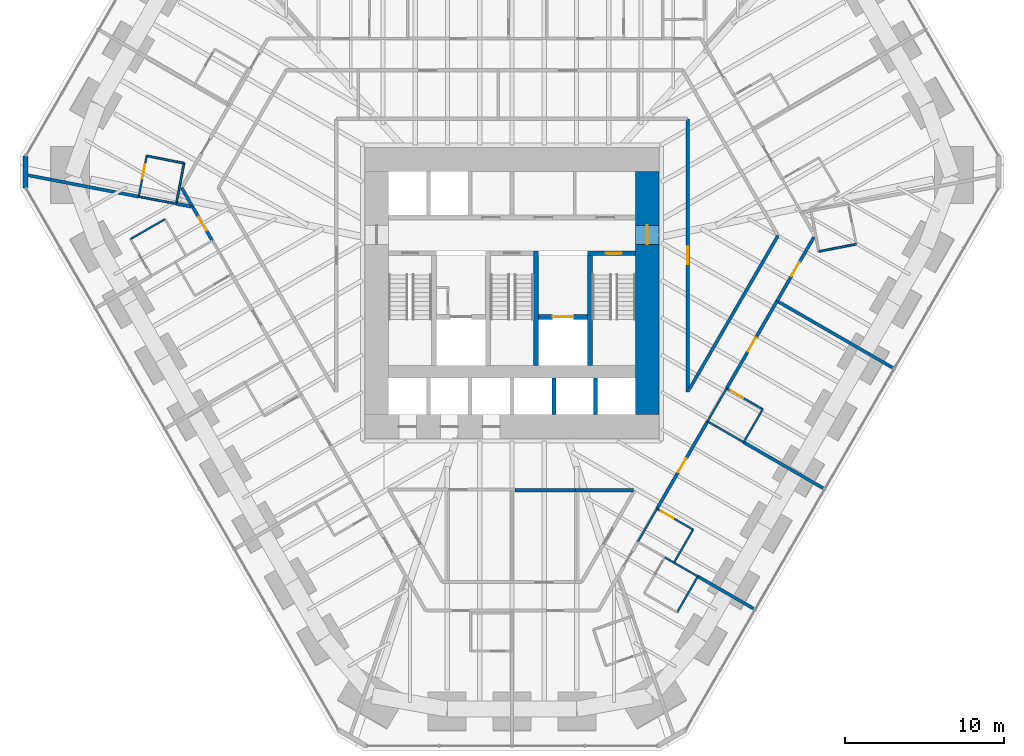
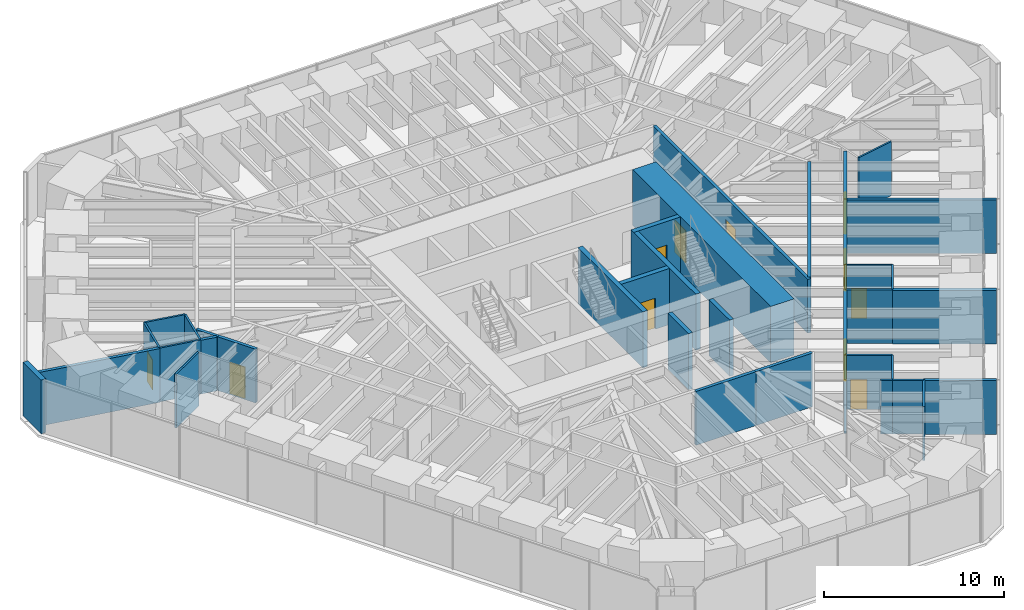
# One storey, part 13 of 17: 38 walls, 11 doors, 11 openings.
"""IFC4 building model written with IfcOpenShell, lengths in metres."""

from ifc_helpers import new_model, si_unit, direction, frame, frame_2d, origin, place, context, subcontext, project, spatial, rectangle, extrude, material, layer, layer_set, type_object, element, fill, save


model = new_model("IFC4")

# Units and contexts
model_context = context("Model", 3, precision=1e-05, world=origin(), true_north=direction((0.0, 1.0)))
body_context = subcontext(model_context, "Body", "Model", "MODEL_VIEW")
ifc_project = project(units=[si_unit("LENGTHUNIT", "METRE"), si_unit("AREAUNIT", "SQUARE_METRE"), si_unit("VOLUMEUNIT", "CUBIC_METRE"), si_unit("PLANEANGLEUNIT", "RADIAN"), si_unit("MASSUNIT", "GRAM", prefix="KILO")], contexts=[model_context])

# Site, building, storey
site_placement = place(None, origin())
site = spatial("IfcSite", under=ifc_project, at=site_placement, CompositionType="ELEMENT")
building_placement = place(site_placement, origin())
building = spatial("IfcBuilding", under=site, at=building_placement, Name="Sandreach Pilgrim Tower", CompositionType="ELEMENT")
storey_placement = place(building_placement, frame((0.0, 0.0, 76.199951171875)))
storey = spatial("IfcBuildingStorey", under=building, at=storey_placement, Name="L18", CompositionType="ELEMENT", Elevation=76.199951171875)

# Wall
ifc_material_1 = material(Name="Moisture-resistant gypsum board on steel studs", Category="steel")
ifc_layer_1 = layer(ifc_material_1, 0.1201171875)
ifc_layer_set_1 = layer_set([ifc_layer_1], Name="Bathroom partition 120")
wall_type_1 = type_object("IfcWallType", Name="Bathroom partition 120", PredefinedType="PARTITIONING", material=ifc_layer_set_1)
wall_1_placement = place(storey_placement, frame((-23.4599609375, 4.510009765625, 0.0), z_axis=(0.0, 0.0, 1.0), x_axis=(0.982228999139, -0.187686422658, 0.0)))
element("IfcWall", 1, at=wall_1_placement, inside=storey, type_object=wall_type_1, Name="Bathroom partition L18-005", PredefinedType="PARTITIONING", context=body_context, shape_type="SweptSolid", body=[
    extrude(rectangle(XDim=2.402587890625, YDim=0.1201171875, at=frame_2d((1.201171875, 0.0))), origin(), (0.0, 0.0, 1.0), 3.64013671875),
])

# Wall, opening, door
wall_2_placement = place(storey_placement, frame((-22.9599609375, 7.070068359375, 0.0), z_axis=(0.0, 0.0, 1.0), x_axis=(-0.191686286181, -0.981456248485, 0.0)))
wall_2 = element("IfcWall", 2, at=wall_2_placement, inside=storey, type_object=wall_type_1, Name="Bathroom partition L18-006", PredefinedType="PARTITIONING", context=body_context, shape_type="SweptSolid", body=[
    extrude(rectangle(XDim=2.6083984375, YDim=0.1201171875, at=frame_2d((1.30419921875, 0.0))), origin(), (0.0, 0.0, 1.0), 3.64013671875),
])
opening_1_placement = place(wall_2_placement, frame((0.550048828125, 0.0, 0.0)))
opening_1 = element("IfcOpeningElement", 3, at=opening_1_placement, cuts=wall_2, Name="Opening D09-17B", PredefinedType="OPENING", context=body_context, shape_type="SweptSolid", body=[
    extrude(rectangle(XDim=0.89990234375, YDim=2.030029296875, at=frame_2d((0.449951171875, 1.01513671875))), frame((0.0, 0.06005859375, 0.0), z_axis=(0.0, -1.0, 0.0), x_axis=(1.0, 0.0, 0.0)), (0.0, 0.0, 1.0), 0.1201171875),
])
ifc_material_2 = material(Name="Timber door, steel frame", Category="steel")
door_type_1 = type_object("IfcDoorType", Name="Bathroom door", OperationType="SINGLE_SWING_LEFT", PredefinedType="DOOR", material=ifc_material_2)
door_1_placement = place(opening_1_placement, origin())
door_1 = element("IfcDoor", 4, at=door_1_placement, inside=storey, type_object=door_type_1, Name="Door 1817B", OperationType="SINGLE_SWING_LEFT", OverallHeight=2.030029296875, OverallWidth=0.89990234375, PredefinedType="DOOR", context=body_context, shape_type="SweptSolid", body=[
    extrude(rectangle(XDim=0.89990234375, YDim=2.030029296875, at=frame_2d((0.449951171875, 1.01513671875))), frame((0.0, 0.02490234375, 0.0), z_axis=(0.0, -1.0, 0.0), x_axis=(1.0, 0.0, 0.0)), (0.0, 0.0, 1.0), 0.050048828125),
])
fill(opening_1, door_1)

# Walls
wall_3_placement = place(storey_placement, frame((-21.81005859375, 3.090087890625, 0.0), z_axis=(0.0, 0.0, 1.0), x_axis=(-0.866510016372, -0.499159685399, 0.0)))
element("IfcWall", 5, at=wall_3_placement, inside=storey, type_object=wall_type_1, Name="Bathroom partition L18-008", PredefinedType="PARTITIONING", context=body_context, shape_type="SweptSolid", body=[
    extrude(rectangle(XDim=2.504150390625, YDim=0.1201171875, at=frame_2d((1.251953125, 0.0))), origin(), (0.0, 0.0, 1.0), 3.64013671875),
])
wall_4_placement = place(storey_placement, frame((-21.10009765625, 4.06005859375, 0.0), z_axis=(0.0, 0.0, 1.0), x_axis=(0.188697442844, 0.982035271802, 0.0)))
element("IfcWall", 6, at=wall_4_placement, inside=storey, type_object=wall_type_1, Name="Bathroom partition L18-013", PredefinedType="PARTITIONING", context=body_context, shape_type="SweptSolid", body=[
    extrude(rectangle(XDim=2.5966796875, YDim=0.1201171875, at=frame_2d((1.29833984375, 0.0))), origin(), (0.0, 0.0, 1.0), 3.64013671875),
])
wall_5_placement = place(storey_placement, frame((-20.610107421875, 6.610107421875, 0.0), z_axis=(0.0, 0.0, 1.0), x_axis=(-0.981376361672, 0.192094863937, 0.0)))
element("IfcWall", 7, at=wall_5_placement, inside=storey, type_object=wall_type_1, Name="Bathroom partition L18-016", PredefinedType="PARTITIONING", context=body_context, shape_type="SweptSolid", body=[
    extrude(rectangle(XDim=2.39453125, YDim=0.1201171875, at=frame_2d((1.197265625, 0.0))), origin(), (0.0, 0.0, 1.0), 3.64013671875),
])
wall_6_placement = place(storey_placement, frame((7.909912109375, -17.18994140625, 0.0), z_axis=(0.0, 0.0, 1.0), x_axis=(0.499737123639, 0.866177122335, 0.0)))
element("IfcWall", 8, at=wall_6_placement, inside=storey, type_object=wall_type_1, Name="Bathroom partition L18-095", PredefinedType="PARTITIONING", context=body_context, shape_type="SweptSolid", body=[
    extrude(rectangle(XDim=2.401123046875, YDim=0.1201171875, at=frame_2d((1.20068359375, 0.0))), origin(), (0.0, 0.0, 1.0), 3.64013671875),
])
wall_7_placement = place(storey_placement, frame((9.60009765625, -18.159912109375, 0.0), z_axis=(0.0, 0.0, 1.0), x_axis=(0.862577739272, -0.505924543497, 0.0)))
element("IfcWall", 9, at=wall_7_placement, inside=storey, type_object=wall_type_1, Name="Bathroom partition L18-111", PredefinedType="PARTITIONING", context=body_context, shape_type="SweptSolid", body=[
    extrude(rectangle(XDim=0.672119140625, YDim=0.1201171875, at=frame_2d((0.3359375, 0.0))), origin(), (0.0, 0.0, 1.0), 3.64013671875),
])
wall_8_placement = place(storey_placement, frame((10.179931640625, -18.5, 0.0), z_axis=(0.0, 0.0, 1.0), x_axis=(0.499693115345, 0.866202511239, 0.0)))
element("IfcWall", 10, at=wall_8_placement, inside=storey, type_object=wall_type_1, Name="Bathroom partition L18-112", PredefinedType="PARTITIONING", context=body_context, shape_type="SweptSolid", body=[
    extrude(rectangle(XDim=2.4013671875, YDim=0.1201171875, at=frame_2d((1.20068359375, 0.0))), origin(), (0.0, 0.0, 1.0), 3.64013671875),
])
wall_9_placement = place(storey_placement, frame((10.179931640625, -18.5, 0.0), z_axis=(0.0, 0.0, 1.0), x_axis=(0.867564547129, -0.497324598794, 0.0)))
element("IfcWall", 11, at=wall_9_placement, inside=storey, type_object=wall_type_1, Name="Bathroom partition L18-113", PredefinedType="PARTITIONING", context=body_context, shape_type="SweptSolid", body=[
    extrude(rectangle(XDim=1.72900390625, YDim=0.1201171875, at=frame_2d((0.864501953125, 0.0))), origin(), (0.0, 0.0, 1.0), 3.64013671875),
])
wall_10_placement = place(storey_placement, frame((10.3798828125, -21.6201171875, 0.0), z_axis=(0.0, 0.0, 1.0), x_axis=(0.498627694264, 0.866816256489, 0.0)))
element("IfcWall", 12, at=wall_10_placement, inside=storey, type_object=wall_type_1, Name="Bathroom partition L18-114", PredefinedType="PARTITIONING", context=body_context, shape_type="SweptSolid", body=[
    extrude(rectangle(XDim=2.607177734375, YDim=0.1201171875, at=frame_2d((1.3037109375, 0.0))), origin(), (0.0, 0.0, 1.0), 3.64013671875),
])

# Wall, opening, door
wall_11_placement = place(storey_placement, frame((11.3798828125, -16.419921875, 0.0), z_axis=(0.0, 0.0, 1.0), x_axis=(-0.866154567199, 0.49977621564, 0.0)))
wall_11 = element("IfcWall", 13, at=wall_11_placement, inside=storey, type_object=wall_type_1, Name="Bathroom partition L18-118", PredefinedType="PARTITIONING", context=body_context, shape_type="SweptSolid", body=[
    extrude(rectangle(XDim=2.620849609375, YDim=0.1201171875, at=frame_2d((1.310546875, 0.0))), origin(), (0.0, 0.0, 1.0), 3.64013671875),
])
opening_2_placement = place(wall_11_placement, frame((1.4208984375, 0.0, 0.0)))
opening_2 = element("IfcOpeningElement", 14, at=opening_2_placement, cuts=wall_11, Name="Opening D09-09B", PredefinedType="OPENING", context=body_context, shape_type="SweptSolid", body=[
    extrude(rectangle(XDim=0.89990234375, YDim=2.030029296875, at=frame_2d((0.449951171875, 1.01513671875))), frame((0.0, 0.06005859375, 0.0), z_axis=(0.0, -1.0, 0.0), x_axis=(1.0, 0.0, 0.0)), (0.0, 0.0, 1.0), 0.1201171875),
])
door_2_placement = place(opening_2_placement, origin())
door_2 = element("IfcDoor", 15, at=door_2_placement, inside=storey, type_object=door_type_1, Name="Door 1809B", OperationType="SINGLE_SWING_RIGHT", OverallHeight=2.030029296875, OverallWidth=0.89990234375, PredefinedType="DOOR", context=body_context, shape_type="SweptSolid", body=[
    extrude(rectangle(XDim=0.89990234375, YDim=2.030029296875, at=frame_2d((0.449951171875, 1.01513671875))), frame((0.0, 0.02490234375, 0.0), z_axis=(0.0, -1.0, 0.0), x_axis=(1.0, 0.0, 0.0)), (0.0, 0.0, 1.0), 0.050048828125),
])
fill(opening_2, door_2)

# Walls
wall_12_placement = place(storey_placement, frame((12.2900390625, -9.6201171875, 0.0), z_axis=(0.0, 0.0, 1.0), x_axis=(0.499693115345, 0.866202511239, 0.0)))
element("IfcWall", 16, at=wall_12_placement, inside=storey, type_object=wall_type_1, Name="Bathroom partition L18-125", PredefinedType="PARTITIONING", context=body_context, shape_type="SweptSolid", body=[
    extrude(rectangle(XDim=2.4013671875, YDim=0.1201171875, at=frame_2d((1.20068359375, 0.0))), origin(), (0.0, 0.0, 1.0), 3.64013671875),
])
wall_13_placement = place(storey_placement, frame((12.2900390625, -9.6201171875, 0.0), z_axis=(0.0, 0.0, 1.0), x_axis=(0.865987003449, -0.500066505434, 0.0)))
element("IfcWall", 17, at=wall_13_placement, inside=storey, type_object=wall_type_1, Name="Bathroom partition L18-126", PredefinedType="PARTITIONING", context=body_context, shape_type="SweptSolid", body=[
    extrude(rectangle(XDim=2.620849609375, YDim=0.1201171875, at=frame_2d((1.310546875, 0.0))), origin(), (0.0, 0.0, 1.0), 3.64013671875),
])
wall_14_placement = place(storey_placement, frame((14.56005859375, -10.929931640625, 0.0), z_axis=(0.0, 0.0, 1.0), x_axis=(0.499737123639, 0.866177122335, 0.0)))
element("IfcWall", 18, at=wall_14_placement, inside=storey, type_object=wall_type_1, Name="Bathroom partition L18-130", PredefinedType="PARTITIONING", context=body_context, shape_type="SweptSolid", body=[
    extrude(rectangle(XDim=2.401123046875, YDim=0.1201171875, at=frame_2d((1.20068359375, 0.0))), origin(), (0.0, 0.0, 1.0), 3.64013671875),
])

# Wall, opening, door
wall_15_placement = place(storey_placement, frame((15.760009765625, -8.85009765625, 0.0), z_axis=(0.0, 0.0, 1.0), x_axis=(-0.866114241029, 0.499846097802, 0.0)))
wall_15 = element("IfcWall", 19, at=wall_15_placement, inside=storey, type_object=wall_type_1, Name="Bathroom partition L18-133", PredefinedType="PARTITIONING", context=body_context, shape_type="SweptSolid", body=[
    extrude(rectangle(XDim=2.620849609375, YDim=0.1201171875, at=frame_2d((1.310546875, 0.0))), origin(), (0.0, 0.0, 1.0), 3.64013671875),
])
opening_3_placement = place(wall_15_placement, frame((1.4208984375, 0.0, 0.0)))
opening_3 = element("IfcOpeningElement", 20, at=opening_3_placement, cuts=wall_15, Name="Opening D09-08B", PredefinedType="OPENING", context=body_context, shape_type="SweptSolid", body=[
    extrude(rectangle(XDim=0.89990234375, YDim=2.030029296875, at=frame_2d((0.449951171875, 1.01513671875))), frame((0.0, 0.06005859375, 0.0), z_axis=(0.0, -1.0, 0.0), x_axis=(1.0, 0.0, 0.0)), (0.0, 0.0, 1.0), 0.1201171875),
])
door_3_placement = place(opening_3_placement, origin())
door_3 = element("IfcDoor", 21, at=door_3_placement, inside=storey, type_object=door_type_1, Name="Door 1808B", OperationType="SINGLE_SWING_RIGHT", OverallHeight=2.030029296875, OverallWidth=0.89990234375, PredefinedType="DOOR", context=body_context, shape_type="SweptSolid", body=[
    extrude(rectangle(XDim=0.89990234375, YDim=2.030029296875, at=frame_2d((0.449951171875, 1.01513671875))), frame((0.0, 0.02490234375, 0.0), z_axis=(0.0, -1.0, 0.0), x_axis=(1.0, 0.0, 0.0)), (0.0, 0.0, 1.0), 0.050048828125),
])
fill(opening_3, door_3)

# Walls
wall_16_placement = place(storey_placement, frame((19.280029296875, 1.06005859375, 0.0), z_axis=(0.0, 0.0, 1.0), x_axis=(0.981529676402, 0.191309943135, 0.0)))
element("IfcWall", 22, at=wall_16_placement, inside=storey, type_object=wall_type_1, Name="Bathroom partition L18-144", PredefinedType="PARTITIONING", context=body_context, shape_type="SweptSolid", body=[
    extrude(rectangle(XDim=2.404296875, YDim=0.1201171875, at=frame_2d((1.2021484375, 0.0))), origin(), (0.0, 0.0, 1.0), 3.64013671875),
])
ifc_material_3 = material(Name="Concrete 10000 psi", Category="concrete")
ifc_layer_2 = layer(ifc_material_3, 0.300048828125)
ifc_layer_set_2 = layer_set([ifc_layer_2], Name="Core inner wall 300")
wall_type_2 = type_object("IfcWallType", Name="Core inner wall 300", PredefinedType="SHEAR", material=ifc_layer_set_2)
for number, where, z_axis, x_axis, name in (
    (23, (1.5, -6.10009765625, 0.0), (0.0, 0.0, 1.0), (0.0, 1.0, 0.0), "Core wall I2 L18"),
    (24, (4.89990234375, -6.10009765625, 0.0), (0.0, 0.0, 1.0), (0.0, 1.0, 0.0), "Core wall I3 L18"),
):
    element("IfcWall", number, at=place(storey_placement, frame(where, z_axis=z_axis, x_axis=x_axis)), inside=storey, type_object=wall_type_2, Name=name, PredefinedType="SHEAR", context=body_context, shape_type="SweptSolid", body=[
        extrude(rectangle(XDim=7.2001953125, YDim=0.300048828125, at=frame_2d((3.60009765625, 0.0))), origin(), (0.0, 0.0, 1.0), 3.800048828125),
    ])

# Wall, opening, door
wall_17_placement = place(storey_placement, frame((4.75, 0.949951171875, 0.0), z_axis=(0.0, 0.0, 1.0), x_axis=(1.0, 0.0, 0.0)))
wall_17 = element("IfcWall", 25, at=wall_17_placement, inside=storey, type_object=wall_type_2, Name="Core wall SN2 L18", PredefinedType="SHEAR", context=body_context, shape_type="SweptSolid", body=[
    extrude(rectangle(XDim=3.0, YDim=0.300048828125, at=frame_2d((1.5, 0.0))), origin(), (0.0, 0.0, 1.0), 3.800048828125),
])
opening_4_placement = place(wall_17_placement, frame((1.14990234375, 0.0, 0.0)))
opening_4 = element("IfcOpeningElement", 26, at=opening_4_placement, cuts=wall_17, Name="Opening D10S-ST2", PredefinedType="OPENING", context=body_context, shape_type="SweptSolid", body=[
    extrude(rectangle(XDim=1.0, YDim=2.199951171875, at=frame_2d((0.5, 1.10009765625))), frame((0.0, 0.14990234375, 0.0), z_axis=(0.0, -1.0, 0.0), x_axis=(1.0, 0.0, 0.0)), (0.0, 0.0, 1.0), 0.300048828125),
])
ifc_material_4 = material(Name="Steel door and frame", Category="steel")
door_type_2 = type_object("IfcDoorType", Name="Stair door", OperationType="SINGLE_SWING_LEFT", PredefinedType="DOOR", material=ifc_material_4)
door_4_placement = place(opening_4_placement, origin())
door_4 = element("IfcDoor", 27, at=door_4_placement, inside=storey, type_object=door_type_2, Name="Stair door ST2 L18", OperationType="SINGLE_SWING_RIGHT", OverallHeight=2.199951171875, OverallWidth=1.0, PredefinedType="DOOR", context=body_context, shape_type="SweptSolid", body=[
    extrude(rectangle(XDim=1.0, YDim=2.199951171875, at=frame_2d((0.5, 1.10009765625))), frame((0.0, 0.02490234375, 0.0), z_axis=(0.0, -1.0, 0.0), x_axis=(1.0, 0.0, 0.0)), (0.0, 0.0, 1.0), 0.050048828125),
])
fill(opening_4, door_4)

wall_18_placement = place(storey_placement, frame((1.64990234375, -3.050048828125, 0.0), z_axis=(0.0, 0.0, 1.0), x_axis=(1.0, 0.0, 0.0)))
wall_18 = element("IfcWall", 28, at=wall_18_placement, inside=storey, type_object=wall_type_2, Name="Core wall FL2 L18", PredefinedType="SHEAR", context=body_context, shape_type="SweptSolid", body=[
    extrude(rectangle(XDim=3.10009765625, YDim=0.300048828125, at=frame_2d((1.550048828125, 0.0))), origin(), (0.0, 0.0, 1.0), 3.800048828125),
])
opening_5_placement = place(wall_18_placement, frame((0.89990234375, 0.0, 0.0)))
opening_5 = element("IfcOpeningElement", 29, at=opening_5_placement, cuts=wall_18, Name="Opening LD13", PredefinedType="OPENING", context=body_context, shape_type="SweptSolid", body=[
    extrude(rectangle(XDim=1.300048828125, YDim=2.10009765625, at=frame_2d((0.64990234375, 1.050048828125))), frame((0.0, 0.14990234375, 0.0), z_axis=(0.0, -1.0, 0.0), x_axis=(1.0, 0.0, 0.0)), (0.0, 0.0, 1.0), 0.300048828125),
])
ifc_material_5 = material(Name="Steel door and frame", Category="steel")
door_type_3 = type_object("IfcDoorType", Name="Fire service lift landing door", OperationType="DOUBLE_DOOR_SLIDING", PredefinedType="DOOR", material=ifc_material_5)
door_5_placement = place(opening_5_placement, origin())
door_5 = element("IfcDoor", 30, at=door_5_placement, inside=storey, type_object=door_type_3, Name="Lift landing door FS2 L18", OperationType="DOUBLE_DOOR_SLIDING", OverallHeight=2.10009765625, OverallWidth=1.300048828125, PredefinedType="DOOR", context=body_context, shape_type="SweptSolid", body=[
    extrude(rectangle(XDim=1.300048828125, YDim=2.10009765625, at=frame_2d((0.64990234375, 1.050048828125))), frame((0.0, 0.02490234375, 0.0), z_axis=(0.0, -1.0, 0.0), x_axis=(1.0, 0.0, 0.0)), (0.0, 0.0, 1.0), 0.050048828125),
])
fill(opening_5, door_5)

ifc_material_6 = material(Name="Concrete 10000 psi", Category="concrete")
ifc_layer_3 = layer(ifc_material_6, 1.5)
ifc_layer_set_3 = layer_set([ifc_layer_3], Name="Core wall 1500")
wall_type_3 = type_object("IfcWallType", Name="Core wall 1500", PredefinedType="SHEAR", material=ifc_layer_set_3)
wall_19_placement = place(storey_placement, frame((8.5, -9.199951171875, 0.0), z_axis=(0.0, 0.0, 1.0), x_axis=(0.0, 1.0, 0.0)))
wall_19 = element("IfcWall", 31, at=wall_19_placement, inside=storey, type_object=wall_type_3, Name="Core wall E L18", PredefinedType="SHEAR", context=body_context, shape_type="SweptSolid", body=[
    extrude(rectangle(XDim=15.300048828125, YDim=1.5, at=frame_2d((7.64990234375, 0.0))), origin(), (0.0, 0.0, 1.0), 3.800048828125),
])
opening_6_placement = place(wall_19_placement, frame((10.699951171875, 0.0, 0.0)))
opening_6 = element("IfcOpeningElement", 32, at=opening_6_placement, cuts=wall_19, Name="Opening D12F-E", PredefinedType="OPENING", context=body_context, shape_type="SweptSolid", body=[
    extrude(rectangle(XDim=1.199951171875, YDim=2.199951171875, at=frame_2d((0.60009765625, 1.10009765625))), frame((0.0, 0.75, 0.0), z_axis=(0.0, -1.0, 0.0), x_axis=(1.0, 0.0, 0.0)), (0.0, 0.0, 1.0), 1.5),
])
ifc_material_7 = material(Name="Steel door and frame", Category="steel")
door_type_4 = type_object("IfcDoorType", Name="Fire lobby door", OperationType="SINGLE_SWING_LEFT", PredefinedType="DOOR", material=ifc_material_7)
door_6_placement = place(opening_6_placement, origin())
door_6 = element("IfcDoor", 33, at=door_6_placement, inside=storey, type_object=door_type_4, Name="Fire service lobby door E L18", OperationType="SINGLE_SWING_RIGHT", OverallHeight=2.199951171875, OverallWidth=1.199951171875, PredefinedType="DOOR", context=body_context, shape_type="SweptSolid", body=[
    extrude(rectangle(XDim=1.199951171875, YDim=2.199951171875, at=frame_2d((0.60009765625, 1.10009765625))), frame((0.0, 0.02490234375, 0.0), z_axis=(0.0, -1.0, 0.0), x_axis=(1.0, 0.0, 0.0)), (0.0, 0.0, 1.0), 0.050048828125),
])
fill(opening_6, door_6)

# Wall
ifc_material_8 = material(Name="Gypsum board on steel studs, two layers each side", Category="steel")
ifc_layer_4 = layer(ifc_material_8, 0.199951171875)
ifc_layer_set_4 = layer_set([ifc_layer_4], Name="Corridor wall 200")
wall_type_4 = type_object("IfcWallType", Name="Corridor wall 200", PredefinedType="PARTITIONING", material=ifc_layer_set_4)
wall_20_placement = place(storey_placement, frame((-20.760009765625, 5.06005859375, 0.0), z_axis=(0.0, 0.0, 1.0), x_axis=(0.49845455473, -0.866915830325, 0.0)))
element("IfcWall", 34, at=wall_20_placement, inside=storey, type_object=wall_type_4, Name="Corridor wall L18-014", PredefinedType="PARTITIONING", context=body_context, shape_type="SweptSolid", body=[
    extrude(rectangle(XDim=1.38427734375, YDim=0.199951171875, at=frame_2d((0.692138671875, 0.0))), origin(), (0.0, 0.0, 1.0), 3.64013671875),
])

# Wall, opening, door
wall_21_placement = place(storey_placement, frame((-20.06982421875, 3.860107421875, 0.0), z_axis=(0.0, 0.0, 1.0), x_axis=(0.501738959866, -0.865019084271, 0.0)))
wall_21 = element("IfcWall", 35, at=wall_21_placement, inside=storey, type_object=wall_type_4, Name="Corridor wall L18-019", PredefinedType="PARTITIONING", context=body_context, shape_type="SweptSolid", body=[
    extrude(rectangle(XDim=2.450927734375, YDim=0.199951171875, at=frame_2d((1.2255859375, 0.0))), origin(), (0.0, 0.0, 1.0), 3.64013671875),
])
opening_7_placement = place(wall_21_placement, frame((0.7255859375, 0.0, 0.0)))
opening_7 = element("IfcOpeningElement", 36, at=opening_7_placement, cuts=wall_21, Name="Opening D10-16", PredefinedType="OPENING", context=body_context, shape_type="SweptSolid", body=[
    extrude(rectangle(XDim=1.0, YDim=2.1298828125, at=frame_2d((0.5, 1.06494140625))), frame((0.0, 0.10009765625, 0.0), z_axis=(0.0, -1.0, 0.0), x_axis=(1.0, 0.0, 0.0)), (0.0, 0.0, 1.0), 0.199951171875),
])
ifc_material_9 = material(Name="Steel door and frame", Category="steel")
door_type_5 = type_object("IfcDoorType", Name="Guest room entry door", OperationType="SINGLE_SWING_LEFT", PredefinedType="DOOR", material=ifc_material_9)
door_7_placement = place(opening_7_placement, origin())
door_7 = element("IfcDoor", 37, at=door_7_placement, inside=storey, type_object=door_type_5, Name="Door 1816", OperationType="SINGLE_SWING_LEFT", OverallHeight=2.1298828125, OverallWidth=1.0, PredefinedType="DOOR", context=body_context, shape_type="SweptSolid", body=[
    extrude(rectangle(XDim=1.0, YDim=2.1298828125, at=frame_2d((0.5, 1.06494140625))), frame((0.0, 0.02490234375, 0.0), z_axis=(0.0, -1.0, 0.0), x_axis=(1.0, 0.0, 0.0)), (0.0, 0.0, 1.0), 0.050048828125),
])
fill(opening_7, door_7)

# Walls
wall_22_placement = place(storey_placement, frame((0.179931640625, -13.949951171875, 0.0), z_axis=(0.0, 0.0, 1.0), x_axis=(1.0, 0.0, 0.0)))
element("IfcWall", 38, at=wall_22_placement, inside=storey, type_object=wall_type_4, Name="Corridor wall L18-075", PredefinedType="PARTITIONING", context=body_context, shape_type="SweptSolid", body=[
    extrude(rectangle(XDim=3.820068359375, YDim=0.199951171875, at=frame_2d((1.91015625, 0.0))), origin(), (0.0, 0.0, 1.0), 3.64013671875),
])
wall_23_placement = place(storey_placement, frame((4.0, -13.949951171875, 0.0), z_axis=(0.0, 0.0, 1.0), x_axis=(1.0, 0.0, 0.0)))
element("IfcWall", 39, at=wall_23_placement, inside=storey, type_object=wall_type_4, Name="Corridor wall L18-083", PredefinedType="PARTITIONING", context=body_context, shape_type="SweptSolid", body=[
    extrude(rectangle(XDim=3.635009765625, YDim=0.199951171875, at=frame_2d((1.8173828125, 0.0))), origin(), (0.0, 0.0, 1.0), 3.64013671875),
])

# Wall, opening, door
wall_24_placement = place(storey_placement, frame((9.110107421875, -15.110107421875, 0.0), z_axis=(0.0, 0.0, 1.0), x_axis=(0.50119856319, 0.865332306259, 0.0)))
wall_24 = element("IfcWall", 40, at=wall_24_placement, inside=storey, type_object=wall_type_4, Name="Corridor wall L18-102", PredefinedType="PARTITIONING", context=body_context, shape_type="SweptSolid", body=[
    extrude(rectangle(XDim=6.3447265625, YDim=0.199951171875, at=frame_2d((3.17236328125, 0.0))), origin(), (0.0, 0.0, 1.0), 3.64013671875),
])
opening_8_placement = place(wall_24_placement, frame((2.67236328125, 0.0, 0.0)))
opening_8 = element("IfcOpeningElement", 41, at=opening_8_placement, cuts=wall_24, Name="Opening D10-09", PredefinedType="OPENING", context=body_context, shape_type="SweptSolid", body=[
    extrude(rectangle(XDim=1.0, YDim=2.1298828125, at=frame_2d((0.5, 1.06494140625))), frame((0.0, 0.10009765625, 0.0), z_axis=(0.0, -1.0, 0.0), x_axis=(1.0, 0.0, 0.0)), (0.0, 0.0, 1.0), 0.199951171875),
])
door_8_placement = place(opening_8_placement, origin())
door_8 = element("IfcDoor", 42, at=door_8_placement, inside=storey, type_object=door_type_5, Name="Door 1809", OperationType="SINGLE_SWING_LEFT", OverallHeight=2.1298828125, OverallWidth=1.0, PredefinedType="DOOR", context=body_context, shape_type="SweptSolid", body=[
    extrude(rectangle(XDim=1.0, YDim=2.1298828125, at=frame_2d((0.5, 1.06494140625))), frame((0.0, 0.02490234375, 0.0), z_axis=(0.0, -1.0, 0.0), x_axis=(1.0, 0.0, 0.0)), (0.0, 0.0, 1.0), 0.050048828125),
])
fill(opening_8, door_8)

wall_25_placement = place(storey_placement, frame((11.050048828125, -7.760009765625, 0.0), z_axis=(0.0, 0.0, 1.0), x_axis=(0.0, 1.0, 0.0)))
wall_25 = element("IfcWall", 43, at=wall_25_placement, inside=storey, type_object=wall_type_4, Name="Corridor wall L18-117", PredefinedType="PARTITIONING", context=body_context, shape_type="SweptSolid", body=[
    extrude(rectangle(XDim=17.159912109375, YDim=0.199951171875, at=frame_2d((8.580078125, 0.0))), origin(), (0.0, 0.0, 1.0), 3.64013671875),
])
opening_9_placement = place(wall_25_placement, frame((8.030029296875, 0.0, 0.0)))
opening_9 = element("IfcOpeningElement", 44, at=opening_9_placement, cuts=wall_25, Name="Opening D11H-M04", PredefinedType="OPENING", context=body_context, shape_type="SweptSolid", body=[
    extrude(rectangle(XDim=1.10009765625, YDim=2.199951171875, at=frame_2d((0.550048828125, 1.10009765625))), frame((0.0, 0.10009765625, 0.0), z_axis=(0.0, -1.0, 0.0), x_axis=(1.0, 0.0, 0.0)), (0.0, 0.0, 1.0), 0.199951171875),
])
ifc_material_10 = material(Name="Steel door and frame", Category="steel")
door_type_6 = type_object("IfcDoorType", Name="Back of house door", OperationType="SINGLE_SWING_LEFT", PredefinedType="DOOR", material=ifc_material_10)
door_9_placement = place(opening_9_placement, origin())
door_9 = element("IfcDoor", 45, at=door_9_placement, inside=storey, type_object=door_type_6, Name="Door 18M04", OperationType="SINGLE_SWING_LEFT", OverallHeight=2.199951171875, OverallWidth=1.10009765625, PredefinedType="DOOR", context=body_context, shape_type="SweptSolid", body=[
    extrude(rectangle(XDim=1.10009765625, YDim=2.199951171875, at=frame_2d((0.550048828125, 1.10009765625))), frame((0.0, 0.02490234375, 0.0), z_axis=(0.0, -1.0, 0.0), x_axis=(1.0, 0.0, 0.0)), (0.0, 0.0, 1.0), 0.050048828125),
])
fill(opening_9, door_9)

wall_26_placement = place(storey_placement, frame((13.489990234375, -7.5400390625, 0.0), z_axis=(0.0, 0.0, 1.0), x_axis=(0.500032479136, 0.866006651134, 0.0)))
wall_26 = element("IfcWall", 46, at=wall_26_placement, inside=storey, type_object=wall_type_4, Name="Corridor wall L18-127", PredefinedType="PARTITIONING", context=body_context, shape_type="SweptSolid", body=[
    extrude(rectangle(XDim=6.33935546875, YDim=0.199951171875, at=frame_2d((3.169677734375, 0.0))), origin(), (0.0, 0.0, 1.0), 3.64013671875),
])
opening_10_placement = place(wall_26_placement, frame((2.669921875, 0.0, 0.0)))
opening_10 = element("IfcOpeningElement", 47, at=opening_10_placement, cuts=wall_26, Name="Opening D10-08", PredefinedType="OPENING", context=body_context, shape_type="SweptSolid", body=[
    extrude(rectangle(XDim=1.0, YDim=2.1298828125, at=frame_2d((0.5, 1.06494140625))), frame((0.0, 0.10009765625, 0.0), z_axis=(0.0, -1.0, 0.0), x_axis=(1.0, 0.0, 0.0)), (0.0, 0.0, 1.0), 0.199951171875),
])
door_10_placement = place(opening_10_placement, origin())
door_10 = element("IfcDoor", 48, at=door_10_placement, inside=storey, type_object=door_type_5, Name="Door 1808", OperationType="SINGLE_SWING_LEFT", OverallHeight=2.1298828125, OverallWidth=1.0, PredefinedType="DOOR", context=body_context, shape_type="SweptSolid", body=[
    extrude(rectangle(XDim=1.0, YDim=2.1298828125, at=frame_2d((0.5, 1.06494140625))), frame((0.0, 0.02490234375, 0.0), z_axis=(0.0, -1.0, 0.0), x_axis=(1.0, 0.0, 0.0)), (0.0, 0.0, 1.0), 0.050048828125),
])
fill(opening_10, door_10)

wall_27_placement = place(storey_placement, frame((16.659912109375, -2.050048828125, 0.0), z_axis=(0.0, 0.0, 1.0), x_axis=(0.499535055988, 0.866293672977, 0.0)))
wall_27 = element("IfcWall", 49, at=wall_27_placement, inside=storey, type_object=wall_type_4, Name="Corridor wall L18-135", PredefinedType="PARTITIONING", context=body_context, shape_type="SweptSolid", body=[
    extrude(rectangle(XDim=4.62451171875, YDim=0.199951171875, at=frame_2d((2.312255859375, 0.0))), origin(), (0.0, 0.0, 1.0), 3.64013671875),
])
opening_11_placement = place(wall_27_placement, frame((1.812255859375, 0.0, 0.0)))
opening_11 = element("IfcOpeningElement", 50, at=opening_11_placement, cuts=wall_27, Name="Opening D10-07", PredefinedType="OPENING", context=body_context, shape_type="SweptSolid", body=[
    extrude(rectangle(XDim=1.0, YDim=2.1298828125, at=frame_2d((0.5, 1.06494140625))), frame((0.0, 0.10009765625, 0.0), z_axis=(0.0, -1.0, 0.0), x_axis=(1.0, 0.0, 0.0)), (0.0, 0.0, 1.0), 0.199951171875),
])
door_11_placement = place(opening_11_placement, origin())
door_11 = element("IfcDoor", 51, at=door_11_placement, inside=storey, type_object=door_type_5, Name="Door 1807", OperationType="SINGLE_SWING_LEFT", OverallHeight=2.1298828125, OverallWidth=1.0, PredefinedType="DOOR", context=body_context, shape_type="SweptSolid", body=[
    extrude(rectangle(XDim=1.0, YDim=2.1298828125, at=frame_2d((0.5, 1.06494140625))), frame((0.0, 0.02490234375, 0.0), z_axis=(0.0, -1.0, 0.0), x_axis=(1.0, 0.0, 0.0)), (0.0, 0.0, 1.0), 0.050048828125),
])
fill(opening_11, door_11)

# Walls
wall_28_placement = place(storey_placement, frame((16.719970703125, 2.06005859375, 0.0), z_axis=(0.0, 0.0, 1.0), x_axis=(-0.500028942393, -0.866008693241, 0.0)))
element("IfcWall", 52, at=wall_28_placement, inside=storey, type_object=wall_type_4, Name="Corridor wall L18-136", PredefinedType="PARTITIONING", context=body_context, shape_type="SweptSolid", body=[
    extrude(rectangle(XDim=11.124267578125, YDim=0.199951171875, at=frame_2d((5.56201171875, 0.0))), origin(), (0.0, 0.0, 1.0), 3.64013671875),
])
ifc_material_11 = material(Name="Double steel stud acoustic wall, gypsum board", Category="steel")
ifc_layer_5 = layer(ifc_material_11, 0.199951171875)
ifc_layer_set_5 = layer_set([ifc_layer_5], Name="Party wall 200")
wall_type_5 = type_object("IfcWallType", Name="Party wall 200", PredefinedType="PARTITIONING", material=ifc_layer_set_5)
wall_29_placement = place(storey_placement, frame((-30.590576171875, 5.88427734375, 0.0), z_axis=(0.0, 0.0, 1.0), x_axis=(0.981929870864, -0.189245155035, 0.0)))
element("IfcWall", 53, at=wall_29_placement, inside=storey, type_object=wall_type_5, Name="Party wall L18-001", PredefinedType="PARTITIONING", context=body_context, shape_type="SweptSolid", body=[
    extrude(rectangle(XDim=7.26171875, YDim=0.199951171875, at=frame_2d((3.630859375, 0.0))), origin(), (0.0, 0.0, 1.0), 3.64013671875),
])
wall_30_placement = place(storey_placement, frame((-21.10009765625, 4.05908203125, 0.0), z_axis=(0.0, 0.0, 1.0), x_axis=(0.981823396721, -0.189796779877, 0.0)))
element("IfcWall", 54, at=wall_30_placement, inside=storey, type_object=wall_type_5, Name="Party wall L18-012", PredefinedType="PARTITIONING", context=body_context, shape_type="SweptSolid", body=[
    extrude(rectangle(XDim=0.944091796875, YDim=0.199951171875, at=frame_2d((0.47216796875, 0.0))), origin(), (0.0, 0.0, 1.0), 3.64013671875),
])
wall_31_placement = place(storey_placement, frame((11.679931640625, -19.360107421875, 0.0), z_axis=(0.0, 0.0, 1.0), x_axis=(0.865885444553, -0.500242338183, 0.0)))
element("IfcWall", 55, at=wall_31_placement, inside=storey, type_object=wall_type_5, Name="Party wall L18-119", PredefinedType="PARTITIONING", context=body_context, shape_type="SweptSolid", body=[
    extrude(rectangle(XDim=4.03759765625, YDim=0.199951171875, at=frame_2d((2.018798828125, 0.0))), origin(), (0.0, 0.0, 1.0), 3.64013671875),
])
wall_32_placement = place(storey_placement, frame((14.5595703125, -10.9306640625, 0.0), z_axis=(0.0, 0.0, 1.0), x_axis=(0.865995646508, -0.500051537573, 0.0)))
element("IfcWall", 56, at=wall_32_placement, inside=storey, type_object=wall_type_5, Name="Party wall L18-129", PredefinedType="PARTITIONING", context=body_context, shape_type="SweptSolid", body=[
    extrude(rectangle(XDim=5.75830078125, YDim=0.199951171875, at=frame_2d((2.879150390625, 0.0))), origin(), (0.0, 0.0, 1.0), 3.64013671875),
])
wall_33_placement = place(storey_placement, frame((23.916015625, -6.239990234375, 0.0), z_axis=(0.0, 0.0, 1.0), x_axis=(-0.865982991691, 0.500073452706, 0.0)))
element("IfcWall", 57, at=wall_33_placement, inside=storey, type_object=wall_type_5, Name="Party wall L18-150", PredefinedType="PARTITIONING", context=body_context, shape_type="SweptSolid", body=[
    extrude(rectangle(XDim=8.368896484375, YDim=0.199951171875, at=frame_2d((4.1845703125, 0.0))), origin(), (0.0, 0.0, 1.0), 3.64013671875),
])
ifc_material_12 = material(Name="Gypsum shaft wall on steel studs, two layers of shaft liner board", Category="steel")
ifc_layer_6 = layer(ifc_material_12, 0.25)
ifc_layer_set_6 = layer_set([ifc_layer_6], Name="Shaft partition 250")
wall_type_6 = type_object("IfcWallType", Name="Shaft partition 250", PredefinedType="PARTITIONING", material=ifc_layer_set_6)
for number, where, z_axis, x_axis, name in (
    (58, (2.625, -9.199951171875, 0.0), (0.0, 0.0, 1.0), (0.0, 1.0, 0.0), "Shaft partition XS3 L18"),
    (59, (5.25, -9.199951171875, 0.0), (0.0, 0.0, 1.0), (0.0, 1.0, 0.0), "Shaft partition XS4 L18"),
):
    element("IfcWall", number, at=place(storey_placement, frame(where, z_axis=z_axis, x_axis=x_axis)), inside=storey, type_object=wall_type_6, Name=name, PredefinedType="PARTITIONING", context=body_context, shape_type="SweptSolid", body=[
        extrude(rectangle(XDim=2.300048828125, YDim=0.25, at=frame_2d((1.14990234375, 0.0))), origin(), (0.0, 0.0, 1.0), 3.800048828125),
    ])
ifc_material_13 = material(Name="Terracotta rainscreen on concrete", Category="masonry")
ifc_layer_7 = layer(ifc_material_13, 0.300048828125)
ifc_layer_set_7 = layer_set([ifc_layer_7], Name="Terracotta chamfer pier")
wall_type_7 = type_object("IfcWallType", Name="Terracotta chamfer pier", PredefinedType="SOLIDWALL", material=ifc_layer_set_7)
wall_34_placement = place(storey_placement, frame((-30.576171875, 5.062255859375, 0.0), z_axis=(0.0, 0.0, 1.0), x_axis=(0.0, 1.0, 0.0)))
element("IfcWall", 60, at=wall_34_placement, inside=storey, type_object=wall_type_7, Name="Chamfer pier L18 SW", PredefinedType="SOLIDWALL", context=body_context, shape_type="SweptSolid", body=[
    extrude(rectangle(XDim=2.0, YDim=0.300048828125, at=frame_2d((1.0, 0.0))), origin(), (0.0, 0.0, 1.0), 3.64013671875),
])

save(model, "model.ifc")
